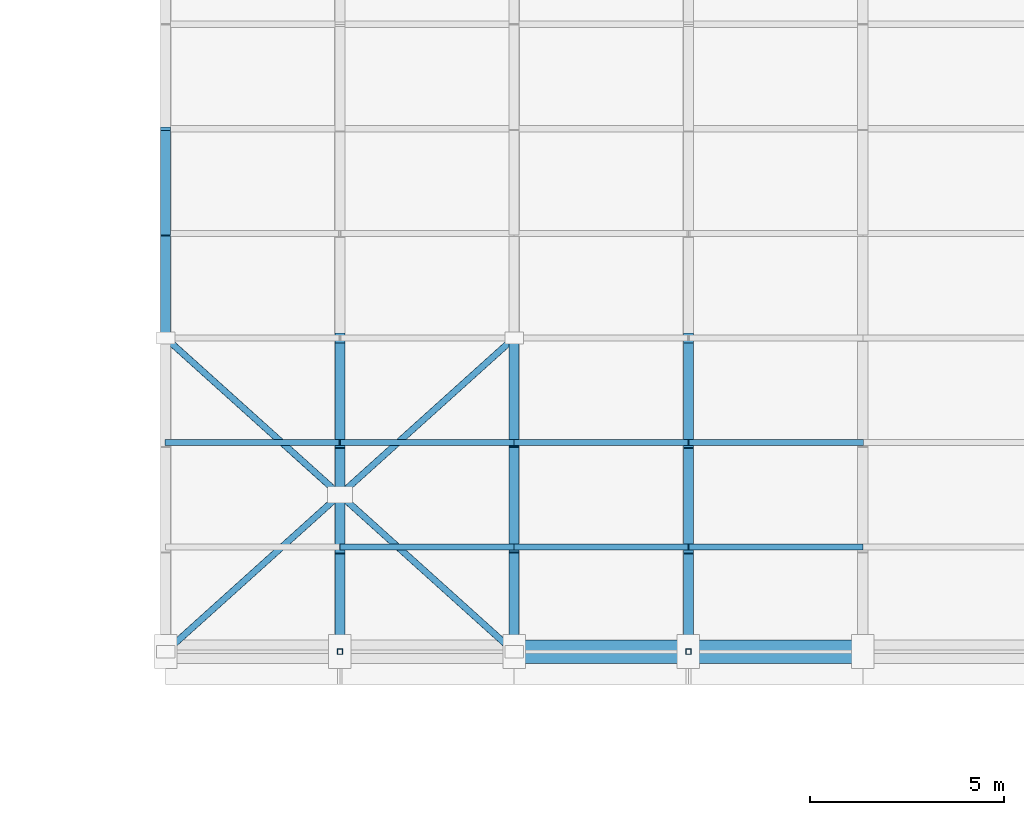
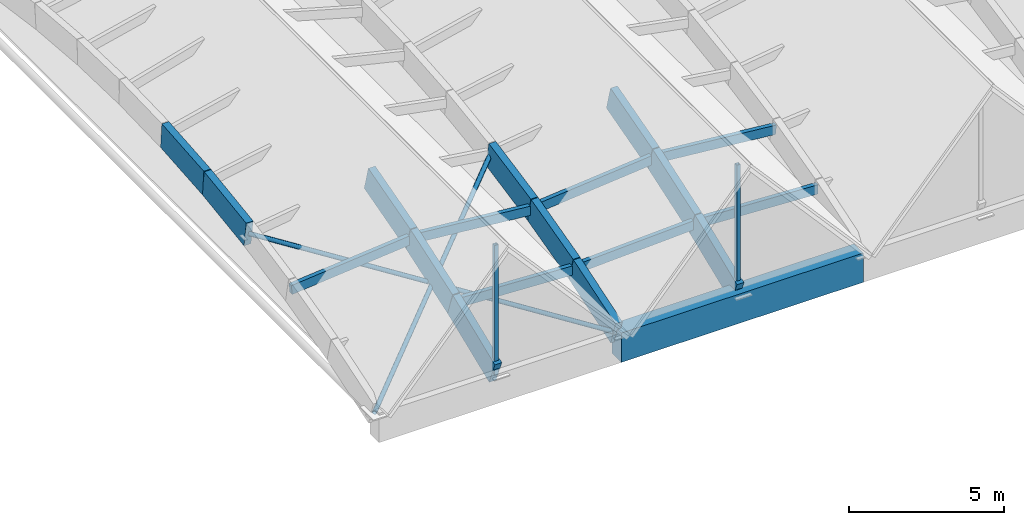
# One storey, part 12 of 39: 23 members, 1 beam.
"""IFC4 building model written with IfcOpenShell, lengths in metres."""

from ifc_helpers import new_model, si_unit, direction, frame, origin, origin_2d, place, context, subcontext, project, spatial, rectangle, hollow_rectangle, hollow_circle, extrude, material, material_profile, profile_set, type_object, element, save


model = new_model("IFC4")

# Units and contexts
model_context = context("Model", 3, precision=1e-05, world=origin(), true_north=direction((0.0, 1.0)))
body_context = subcontext(model_context, "Body", "Model", "MODEL_VIEW")
ifc_project = project(units=[si_unit("LENGTHUNIT", "METRE"), si_unit("AREAUNIT", "SQUARE_METRE"), si_unit("VOLUMEUNIT", "CUBIC_METRE"), si_unit("PLANEANGLEUNIT", "RADIAN"), si_unit("MASSUNIT", "GRAM", prefix="KILO")], contexts=[model_context])

# Site, building, storey
site_placement = place(None, origin())
site = spatial("IfcSite", under=ifc_project, at=site_placement, CompositionType="ELEMENT")
building_placement = place(site_placement, origin())
building = spatial("IfcBuilding", under=site, at=building_placement, Name="Tizgana Railside Sports Hall", CompositionType="ELEMENT")
storey_placement = place(building_placement, frame((0.0, 0.0, 23.699951171875)))
storey = spatial("IfcBuildingStorey", under=building, at=storey_placement, Name="RF", CompositionType="ELEMENT", Elevation=23.699951171875)

# Beam
ifc_material_1 = material(Name="Concrete C40/50", Category="concrete")
ifc_material_profile_1 = material_profile(ifc_material_1, rectangle(XDim=0.60009765625, YDim=1.14990234375, at=origin_2d()), Name="RCB 600x1150")
ifc_profile_set_1 = profile_set([ifc_material_profile_1], Name="Concrete C40/50")
beam_type = type_object("IfcBeamType", Name="Concrete Beam RCB 600x1150", PredefinedType="BEAM", material=ifc_profile_set_1)
beam_placement = place(storey_placement, frame((88.800048828125, 40.800048828125, -3.27490234375), z_axis=(1.0, 0.0, 0.0), x_axis=(0.0, 1.0, 0.0)))
element("IfcBeam", 1, at=beam_placement, inside=storey, type_object=beam_type, Name="RF BEM-1224", PredefinedType="BEAM", context=body_context, shape_type="SweptSolid", body=[
    extrude(rectangle(XDim=0.60009765625, YDim=1.14990234375, at=origin_2d()), origin(), (0.0, 0.0, 1.0), 9.0),
])

# Members
ifc_material_2 = material(Name="Glulam GL32h", Category="wood")
ifc_material_profile_2 = material_profile(ifc_material_2, rectangle(XDim=0.260009765625, YDim=0.97998046875, at=origin_2d()), Name="GL 260x980")
ifc_profile_set_2 = profile_set([ifc_material_profile_2], Name="Glulam GL32h")
member_type_1 = type_object("IfcMemberType", Name="Glulam Arch Segment GL 260x980", PredefinedType="USERDEFINED", material=ifc_profile_set_2)
member_1_placement = place(storey_placement, frame((79.800048828125, 48.89990234375, -0.721923828125), z_axis=(0.0, 0.990049503072, 0.140719513456), x_axis=(-1.0, 0.0, 0.0)))
element("IfcMember", 2, at=member_1_placement, inside=storey, type_object=member_type_1, Name="RF V2 Arch Chord MEM-0409", ObjectType="ARCH_SEGMENT", PredefinedType="USERDEFINED", context=body_context, shape_type="SweptSolid", body=[
    extrude(rectangle(XDim=0.260009765625, YDim=0.97998046875, at=origin_2d()), origin(), (0.0, 0.0, 1.0), 2.727294921875),
])
member_2_placement = place(storey_placement, frame((79.800048828125, 51.60009765625, -0.338134765625), z_axis=(0.0, 0.996437422353, 0.084335421586), x_axis=(-1.0, 0.0, 0.0)))
element("IfcMember", 3, at=member_2_placement, inside=storey, type_object=member_type_1, Name="RF V2 Arch Chord MEM-0410", ObjectType="ARCH_SEGMENT", PredefinedType="USERDEFINED", context=body_context, shape_type="SweptSolid", body=[
    extrude(rectangle(XDim=0.260009765625, YDim=0.97998046875, at=origin_2d()), origin(), (0.0, 0.0, 1.0), 2.709716796875),
])
member_3_placement = place(storey_placement, frame((84.300048828125, 40.800048828125, -2.849853515625), z_axis=(0.0, 0.927129277991, 0.37474164686), x_axis=(-1.0, 0.0, 0.0)))
element("IfcMember", 4, at=member_3_placement, inside=storey, type_object=member_type_1, Name="RF V2 Arch Chord MEM-0419", ObjectType="ARCH_SEGMENT", PredefinedType="USERDEFINED", context=body_context, shape_type="SweptSolid", body=[
    extrude(rectangle(XDim=0.260009765625, YDim=0.97998046875, at=origin_2d()), origin(), (0.0, 0.0, 1.0), 2.912109375),
])
member_4_placement = place(storey_placement, frame((84.300048828125, 43.5, -1.758544921875), z_axis=(0.0, 0.946643794117, 0.322281751049), x_axis=(-1.0, 0.0, 0.0)))
element("IfcMember", 5, at=member_4_placement, inside=storey, type_object=member_type_1, Name="RF V2 Arch Chord MEM-0420", ObjectType="ARCH_SEGMENT", PredefinedType="USERDEFINED", context=body_context, shape_type="SweptSolid", body=[
    extrude(rectangle(XDim=0.260009765625, YDim=0.97998046875, at=origin_2d()), origin(), (0.0, 0.0, 1.0), 2.85205078125),
])
member_5_placement = place(storey_placement, frame((84.300048828125, 46.199951171875, -0.83935546875), z_axis=(0.0, 0.963066151939, 0.269264901148), x_axis=(-1.0, 0.0, 0.0)))
element("IfcMember", 6, at=member_5_placement, inside=storey, type_object=member_type_1, Name="RF V2 Arch Chord MEM-0421", ObjectType="ARCH_SEGMENT", PredefinedType="USERDEFINED", context=body_context, shape_type="SweptSolid", body=[
    extrude(rectangle(XDim=0.260009765625, YDim=0.97998046875, at=origin_2d()), origin(), (0.0, 0.0, 1.0), 2.803466796875),
])
member_6_placement = place(storey_placement, frame((88.800048828125, 40.800048828125, -2.849853515625), z_axis=(0.0, 0.950912040346, 0.30946129245), x_axis=(-1.0, 0.0, 0.0)))
element("IfcMember", 7, at=member_6_placement, inside=storey, type_object=member_type_1, Name="RF V2 Arch Chord MEM-0432", ObjectType="ARCH_SEGMENT", PredefinedType="USERDEFINED", context=body_context, shape_type="SweptSolid", body=[
    extrude(rectangle(XDim=0.260009765625, YDim=0.97998046875, at=origin_2d()), origin(), (0.0, 0.0, 1.0), 2.83935546875),
])
member_7_placement = place(storey_placement, frame((88.800048828125, 43.5, -1.97119140625), z_axis=(0.0, 0.96740233444, 0.253244394448), x_axis=(-1.0, 0.0, 0.0)))
element("IfcMember", 8, at=member_7_placement, inside=storey, type_object=member_type_1, Name="RF V2 Arch Chord MEM-0433", ObjectType="ARCH_SEGMENT", PredefinedType="USERDEFINED", context=body_context, shape_type="SweptSolid", body=[
    extrude(rectangle(XDim=0.260009765625, YDim=0.97998046875, at=origin_2d()), origin(), (0.0, 0.0, 1.0), 2.791015625),
])
member_8_placement = place(storey_placement, frame((88.800048828125, 46.199951171875, -1.264404296875), z_axis=(0.0, 0.980406395207, 0.196985533064), x_axis=(-1.0, 0.0, 0.0)))
element("IfcMember", 9, at=member_8_placement, inside=storey, type_object=member_type_1, Name="RF V2 Arch Chord MEM-0434", ObjectType="ARCH_SEGMENT", PredefinedType="USERDEFINED", context=body_context, shape_type="SweptSolid", body=[
    extrude(rectangle(XDim=0.260009765625, YDim=0.97998046875, at=origin_2d()), origin(), (0.0, 0.0, 1.0), 2.75390625),
])
member_9_placement = place(storey_placement, frame((93.300048828125, 40.800048828125, -2.849853515625), z_axis=(0.0, 0.927129277991, 0.37474164686), x_axis=(-1.0, 0.0, 0.0)))
element("IfcMember", 10, at=member_9_placement, inside=storey, type_object=member_type_1, Name="RF V2 Arch Chord MEM-0445", ObjectType="ARCH_SEGMENT", PredefinedType="USERDEFINED", context=body_context, shape_type="SweptSolid", body=[
    extrude(rectangle(XDim=0.260009765625, YDim=0.97998046875, at=origin_2d()), origin(), (0.0, 0.0, 1.0), 2.912109375),
])
member_10_placement = place(storey_placement, frame((93.300048828125, 43.5, -1.758544921875), z_axis=(0.0, 0.946643794117, 0.322281751049), x_axis=(-1.0, 0.0, 0.0)))
element("IfcMember", 11, at=member_10_placement, inside=storey, type_object=member_type_1, Name="RF V2 Arch Chord MEM-0446", ObjectType="ARCH_SEGMENT", PredefinedType="USERDEFINED", context=body_context, shape_type="SweptSolid", body=[
    extrude(rectangle(XDim=0.260009765625, YDim=0.97998046875, at=origin_2d()), origin(), (0.0, 0.0, 1.0), 2.85205078125),
])
member_11_placement = place(storey_placement, frame((93.300048828125, 46.199951171875, -0.83935546875), z_axis=(0.0, 0.963066151939, 0.269264901148), x_axis=(-1.0, 0.0, 0.0)))
element("IfcMember", 12, at=member_11_placement, inside=storey, type_object=member_type_1, Name="RF V2 Arch Chord MEM-0447", ObjectType="ARCH_SEGMENT", PredefinedType="USERDEFINED", context=body_context, shape_type="SweptSolid", body=[
    extrude(rectangle(XDim=0.260009765625, YDim=0.97998046875, at=origin_2d()), origin(), (0.0, 0.0, 1.0), 2.803466796875),
])
ifc_material_3 = material(Name="Glulam GL28h", Category="wood")
ifc_material_profile_3 = material_profile(ifc_material_3, rectangle(XDim=0.159912109375, YDim=0.360107421875, at=origin_2d()), Name="GL 160x360")
ifc_profile_set_3 = profile_set([ifc_material_profile_3], Name="Glulam GL28h")
member_type_2 = type_object("IfcMemberType", Name="Glulam Roof Purlin GL 160x360", PredefinedType="PURLIN", material=ifc_profile_set_3)
member_12_placement = place(storey_placement, frame((84.300048828125, 43.5, -1.758544921875), z_axis=(0.998885359561, 0.0, -0.047202102223), x_axis=(0.0, 1.0, 0.0)))
element("IfcMember", 13, at=member_12_placement, inside=storey, type_object=member_type_2, Name="RF V2 Purlin MEM-0578", PredefinedType="PURLIN", context=body_context, shape_type="SweptSolid", body=[
    extrude(rectangle(XDim=0.159912109375, YDim=0.360107421875, at=origin_2d()), origin(), (0.0, 0.0, 1.0), 4.505126953125),
])
for number, where, z_axis, x_axis, name in (
    (14, (79.800048828125, 46.199951171875, -1.264404296875), (0.995568727865, 0.0, 0.094036738022), (0.0, 1.0, 0.0), "RF V2 Purlin MEM-0579"),
    (15, (84.300048828125, 46.199951171875, -0.83935546875), (0.995568727865, 0.0, -0.094036738022), (0.0, 1.0, 0.0), "RF V2 Purlin MEM-0580"),
):
    element("IfcMember", number, at=place(storey_placement, frame(where, z_axis=z_axis, x_axis=x_axis)), inside=storey, type_object=member_type_2, Name=name, PredefinedType="PURLIN", context=body_context, shape_type="SweptSolid", body=[
        extrude(rectangle(XDim=0.159912109375, YDim=0.360107421875, at=origin_2d()), origin(), (0.0, 0.0, 1.0), 4.52001953125),
    ])
for number, where, z_axis, x_axis, name in (
    (16, (88.800048828125, 43.5, -1.97119140625), (0.998885359561, 0.0, 0.047202102223), (0.0, 1.0, 0.0), "RF V2 Purlin MEM-0608"),
    (17, (93.300048828125, 43.5, -1.758544921875), (0.998885359561, 0.0, -0.047202102223), (0.0, 1.0, 0.0), "RF V2 Purlin MEM-0609"),
):
    element("IfcMember", number, at=place(storey_placement, frame(where, z_axis=z_axis, x_axis=x_axis)), inside=storey, type_object=member_type_2, Name=name, PredefinedType="PURLIN", context=body_context, shape_type="SweptSolid", body=[
        extrude(rectangle(XDim=0.159912109375, YDim=0.360107421875, at=origin_2d()), origin(), (0.0, 0.0, 1.0), 4.505126953125),
    ])
for number, where, z_axis, x_axis, name in (
    (18, (88.800048828125, 46.199951171875, -1.264404296875), (0.995568727865, 0.0, 0.094036738022), (0.0, 1.0, 0.0), "RF V2 Purlin MEM-0610"),
    (19, (93.300048828125, 46.199951171875, -0.83935546875), (0.995568727865, 0.0, -0.094036738022), (0.0, 1.0, 0.0), "RF V2 Purlin MEM-0611"),
):
    element("IfcMember", number, at=place(storey_placement, frame(where, z_axis=z_axis, x_axis=x_axis)), inside=storey, type_object=member_type_2, Name=name, PredefinedType="PURLIN", context=body_context, shape_type="SweptSolid", body=[
        extrude(rectangle(XDim=0.159912109375, YDim=0.360107421875, at=origin_2d()), origin(), (0.0, 0.0, 1.0), 4.52001953125),
    ])
ifc_material_4 = material(Name="Steel S355J2", Category="steel")
ifc_material_profile_4 = material_profile(ifc_material_4, hollow_circle(Radius=0.084228515625, WallThickness=0.008056640625, at=origin_2d()), Name="CHS 168.3x8")
ifc_profile_set_4 = profile_set([ifc_material_profile_4], Name="Steel S355J2")
member_type_3 = type_object("IfcMemberType", Name="Steel Brace CHS 168.3x8", PredefinedType="BRACE", material=ifc_profile_set_4)
member_13_placement = place(storey_placement, frame((79.800048828125, 40.800048828125, -2.849853515625), z_axis=(0.732080706849, 0.658860720788, 0.173090696639), x_axis=(-0.668958047626, 0.743300161789, 0.0)))
element("IfcMember", 20, at=member_13_placement, inside=storey, type_object=member_type_3, Name="RF V2 Continuous Wind Brace MEM-0599", PredefinedType="BRACE", context=body_context, shape_type="SweptSolid", body=[
    extrude(hollow_circle(Radius=0.084228515625, WallThickness=0.008056640625, at=origin_2d()), origin(), (0.0, 0.0, 1.0), 12.293701171875),
])
for number, where, z_axis, x_axis, name in (
    (21, (88.800048828125, 40.800048828125, -2.849853515625), (-0.732069476291, 0.658870657348, 0.173100371948), (-0.668969291431, -0.743290042394, 0.0), "RF V2 Split Wind Brace MEM-0600"),
    (22, (84.197509765625, 44.942138671875, -1.76171875), (-0.732069476291, 0.658870657348, 0.173100371948), (-0.668969291431, -0.743290042394, 0.0), "RF V2 Split Wind Brace MEM-0601"),
):
    element("IfcMember", number, at=place(storey_placement, frame(where, z_axis=z_axis, x_axis=x_axis)), inside=storey, type_object=member_type_3, Name=name, PredefinedType="BRACE", context=body_context, shape_type="SweptSolid", body=[
        extrude(hollow_circle(Radius=0.084228515625, WallThickness=0.008056640625, at=origin_2d()), origin(), (0.0, 0.0, 1.0), 6.0068359375),
    ])
ifc_material_profile_5 = material_profile(ifc_material_4, hollow_rectangle(XDim=0.139892578125, YDim=0.139892578125, WallThickness=0.008056640625, at=origin_2d()), Name="SHS 140x140x8")
ifc_profile_set_5 = profile_set([ifc_material_profile_5], Name="Steel S355J2")
member_type_4 = type_object("IfcMemberType", Name="Steel Brace SHS 140x140x8", PredefinedType="BRACE", material=ifc_profile_set_5)
for number, where, z_axis, x_axis, name in (
    (23, (84.300048828125, 40.800048828125, -2.89990234375), (0.0, 0.0, 1.0), (1.0, 0.0, 0.0), "RF King Post"),
    (24, (93.300048828125, 40.800048828125, -2.89990234375), (0.0, 0.0, 1.0), (1.0, 0.0, 0.0), "RF King Post"),
):
    element("IfcMember", number, at=place(storey_placement, frame(where, z_axis=z_axis, x_axis=x_axis)), inside=storey, type_object=member_type_4, Name=name, PredefinedType="BRACE", context=body_context, shape_type="SweptSolid", body=[
        extrude(hollow_rectangle(XDim=0.139892578125, YDim=0.139892578125, WallThickness=0.008056640625, at=origin_2d()), origin(), (0.0, 0.0, 1.0), 5.099853515625),
    ])

save(model, "model.ifc")
